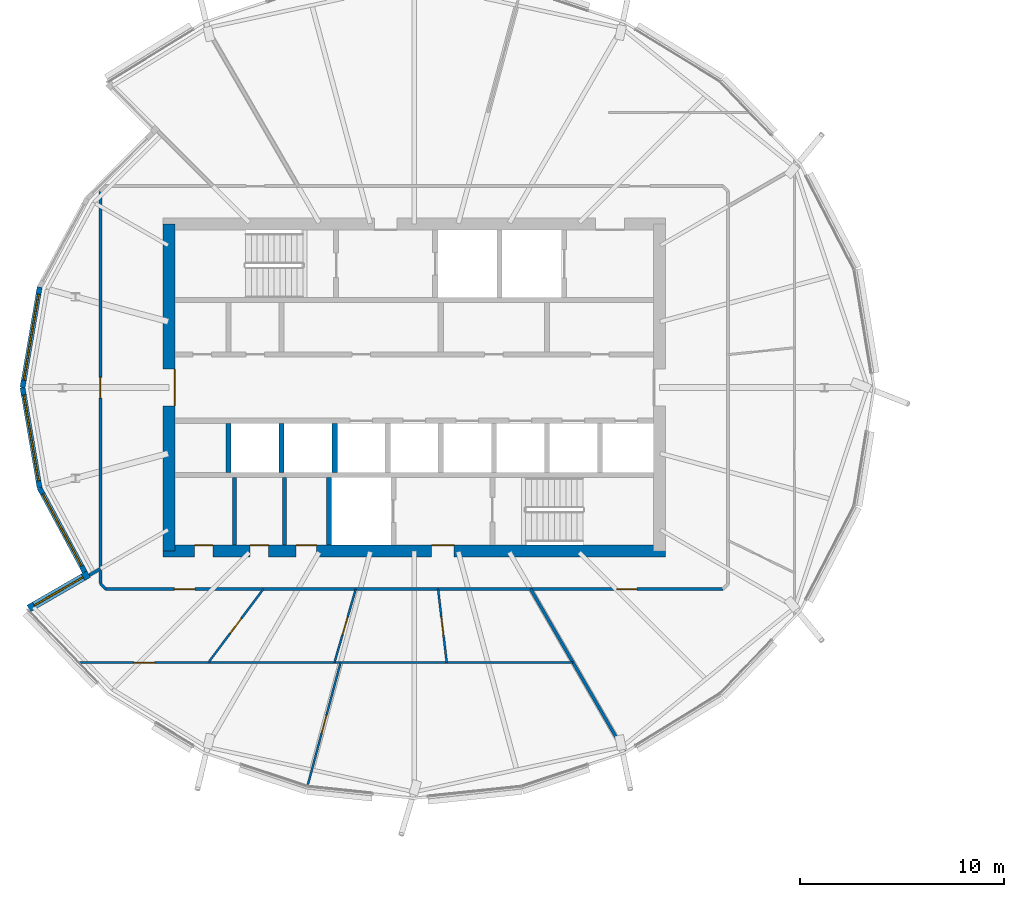
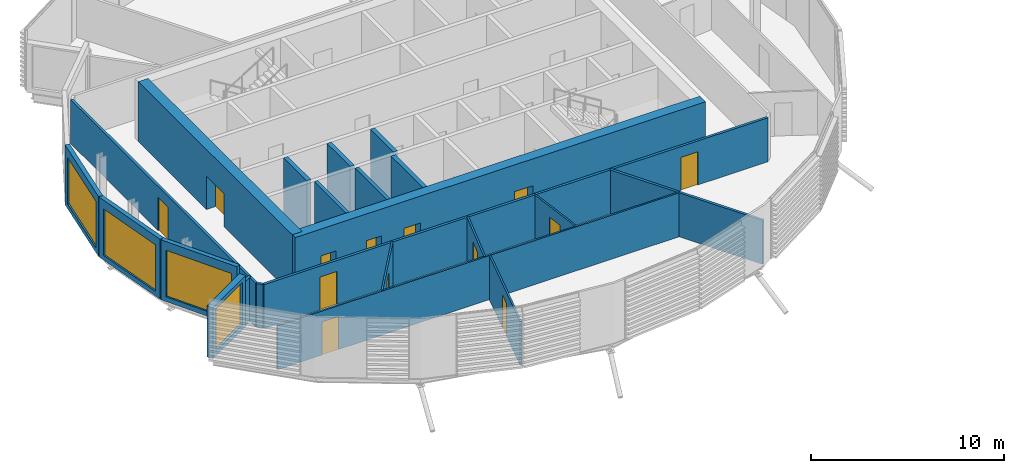
# One storey, part 19 of 37: 23 walls, 13 doors, 4 windows, 17 openings.
"""IFC4 building model written with IfcOpenShell, lengths in metres."""

from ifc_helpers import new_model, si_unit, direction, frame, frame_2d, origin, place, context, subcontext, project, spatial, rectangle, extrude, material, layer, layer_set, type_object, element, fill, save


model = new_model("IFC4")

# Units and contexts
model_context = context("Model", 3, precision=1e-05, world=origin(), true_north=direction((0.0, 1.0)))
body_context = subcontext(model_context, "Body", "Model", "MODEL_VIEW")
ifc_project = project(units=[si_unit("LENGTHUNIT", "METRE"), si_unit("AREAUNIT", "SQUARE_METRE"), si_unit("VOLUMEUNIT", "CUBIC_METRE"), si_unit("PLANEANGLEUNIT", "RADIAN"), si_unit("MASSUNIT", "GRAM", prefix="KILO")], contexts=[model_context])

# Site, building, storey
site_placement = place(None, origin())
site = spatial("IfcSite", under=ifc_project, at=site_placement, CompositionType="ELEMENT")
building_placement = place(site_placement, origin())
building = spatial("IfcBuilding", under=site, at=building_placement, Name="Rimbun Link Towers", CompositionType="ELEMENT")
storey_placement = place(building_placement, frame((0.0, 0.0, 162.699951171875)))
storey = spatial("IfcBuildingStorey", under=building, at=storey_placement, Name="L39", CompositionType="ELEMENT", Elevation=162.699951171875)

# Wall, opening, window
ifc_material_1 = material(Name="Dark enamelled glass spandrel on insulated aluminium backpan", Category="aluminium")
ifc_layer_1 = layer(ifc_material_1, 0.25)
ifc_layer_set_1 = layer_set([ifc_layer_1], Name="CS dark enamelled spandrel wall 250")
wall_type_1 = type_object("IfcWallType", Name="CS dark enamelled spandrel wall 250", PredefinedType="STANDARD", material=ifc_layer_set_1)
wall_1_placement = place(storey_placement, frame((-50.912841796875, 0.0, 0.0), z_axis=(0.0, 0.0, 1.0), x_axis=(0.167960198428, 0.985793777493, 0.0)))
wall_1 = element("IfcWall", 1, at=wall_1_placement, inside=storey, type_object=wall_type_1, Name="Crease spandrel wall", PredefinedType="STANDARD", context=body_context, shape_type="SweptSolid", body=[
    extrude(rectangle(XDim=4.989990234375, YDim=0.25, at=frame_2d((2.4951171875, 0.0))), origin(), (0.0, 0.0, 1.0), 3.800048828125),
])
opening_1_placement = place(wall_1_placement, frame((0.3701171875, 0.0, 0.300048828125)))
opening_1 = element("IfcOpeningElement", 2, at=opening_1_placement, cuts=wall_1, Name="Opening WR42H295", PredefinedType="OPENING", context=body_context, shape_type="SweptSolid", body=[
    extrude(rectangle(XDim=4.25, YDim=2.949951171875, at=frame_2d((2.125, 1.47509765625))), frame((0.0, 0.135009765625, 0.0), z_axis=(0.0, -1.0, 0.0), x_axis=(1.0, 0.0, 0.0)), (0.0, 0.0, 1.0), 0.27001953125),
])
ifc_material_2 = material(Name="Aluminium framed fixed window, dark tinted low-e glass", Category="aluminium")
window_type_1 = type_object("IfcWindowType", Name="WR ribbon window 4250X2950", PartitioningType="SINGLE_PANEL", PredefinedType="WINDOW", material=ifc_material_2)
window_1_placement = place(opening_1_placement, origin())
window_1 = element("IfcWindow", 3, at=window_1_placement, inside=storey, type_object=window_type_1, Name="Crease ribbon window", OverallHeight=2.949951171875, OverallWidth=4.25, PartitioningType="SINGLE_PANEL", PredefinedType="WINDOW", context=body_context, shape_type="SweptSolid", body=[
    extrude(rectangle(XDim=4.25, YDim=2.949951171875, at=frame_2d((2.125, 1.47509765625))), frame((0.0, 0.030029296875, 0.0), z_axis=(0.0, -1.0, 0.0), x_axis=(1.0, 0.0, 0.0)), (0.0, 0.0, 1.0), 0.06005859375),
])
fill(opening_1, window_1)

wall_2_placement = place(storey_placement, frame((-50.07470703125, -4.919189453125, 0.0), z_axis=(0.0, 0.0, 1.0), x_axis=(-0.167960198428, 0.985793777493, 0.0)))
wall_2 = element("IfcWall", 4, at=wall_2_placement, inside=storey, type_object=wall_type_1, Name="Crease spandrel wall", PredefinedType="STANDARD", context=body_context, shape_type="SweptSolid", body=[
    extrude(rectangle(XDim=4.989990234375, YDim=0.25, at=frame_2d((2.4951171875, 0.0))), origin(), (0.0, 0.0, 1.0), 3.800048828125),
])
opening_2_placement = place(wall_2_placement, frame((0.3701171875, 0.0, 0.300048828125)))
opening_2 = element("IfcOpeningElement", 5, at=opening_2_placement, cuts=wall_2, Name="Opening WR42H295", PredefinedType="OPENING", context=body_context, shape_type="SweptSolid", body=[
    extrude(rectangle(XDim=4.25, YDim=2.949951171875, at=frame_2d((2.125, 1.47509765625))), frame((0.0, 0.135009765625, 0.0), z_axis=(0.0, -1.0, 0.0), x_axis=(1.0, 0.0, 0.0)), (0.0, 0.0, 1.0), 0.27001953125),
])
window_2_placement = place(opening_2_placement, origin())
window_2 = element("IfcWindow", 6, at=window_2_placement, inside=storey, type_object=window_type_1, Name="Crease ribbon window", OverallHeight=2.949951171875, OverallWidth=4.25, PartitioningType="SINGLE_PANEL", PredefinedType="WINDOW", context=body_context, shape_type="SweptSolid", body=[
    extrude(rectangle(XDim=4.25, YDim=2.949951171875, at=frame_2d((2.125, 1.47509765625))), frame((0.0, 0.030029296875, 0.0), z_axis=(0.0, -1.0, 0.0), x_axis=(1.0, 0.0, 0.0)), (0.0, 0.0, 1.0), 0.06005859375),
])
fill(opening_2, window_2)

wall_3_placement = place(storey_placement, frame((-47.872314453125, -9.01953125, 0.0), z_axis=(0.0, 0.0, 1.0), x_axis=(-0.473186197198, 0.880962441186, 0.0)))
wall_3 = element("IfcWall", 7, at=wall_3_placement, inside=storey, type_object=wall_type_1, Name="Crease spandrel wall", PredefinedType="STANDARD", context=body_context, shape_type="SweptSolid", body=[
    extrude(rectangle(XDim=4.654296875, YDim=0.25, at=frame_2d((2.3271484375, 0.0))), origin(), (0.0, 0.0, 1.0), 3.800048828125),
])
opening_3_placement = place(wall_3_placement, frame((0.3271484375, 0.0, 0.300048828125)))
opening_3 = element("IfcOpeningElement", 8, at=opening_3_placement, cuts=wall_3, Name="Opening WR40H295", PredefinedType="OPENING", context=body_context, shape_type="SweptSolid", body=[
    extrude(rectangle(XDim=4.0, YDim=2.949951171875, at=frame_2d((2.0, 1.47509765625))), frame((0.0, 0.135009765625, 0.0), z_axis=(0.0, -1.0, 0.0), x_axis=(1.0, 0.0, 0.0)), (0.0, 0.0, 1.0), 0.27001953125),
])
ifc_material_3 = material(Name="Aluminium framed fixed window, dark tinted low-e glass", Category="aluminium")
window_type_2 = type_object("IfcWindowType", Name="WR ribbon window 4000X2950", PartitioningType="SINGLE_PANEL", PredefinedType="WINDOW", material=ifc_material_3)
window_3_placement = place(opening_3_placement, origin())
window_3 = element("IfcWindow", 9, at=window_3_placement, inside=storey, type_object=window_type_2, Name="Crease ribbon window", OverallHeight=2.949951171875, OverallWidth=4.0, PartitioningType="SINGLE_PANEL", PredefinedType="WINDOW", context=body_context, shape_type="SweptSolid", body=[
    extrude(rectangle(XDim=4.0, YDim=2.949951171875, at=frame_2d((2.0, 1.47509765625))), frame((0.0, 0.030029296875, 0.0), z_axis=(0.0, -1.0, 0.0), x_axis=(1.0, 0.0, 0.0)), (0.0, 0.0, 1.0), 0.06005859375),
])
fill(opening_3, window_3)

ifc_material_4 = material(Name="Dark enamelled glass spandrel on insulated aluminium backpan", Category="aluminium")
ifc_layer_2 = layer(ifc_material_4, 0.3701171875)
ifc_layer_set_2 = layer_set([ifc_layer_2], Name="CS dark enamelled spandrel wall 370")
wall_type_2 = type_object("IfcWallType", Name="CS dark enamelled spandrel wall 370", PredefinedType="STANDARD", material=ifc_layer_set_2)
wall_4_placement = place(storey_placement, frame((-50.60546875, -10.81103515625, 0.0), z_axis=(0.0, 0.0, 1.0), x_axis=(0.866038843867, 0.499976720371, 0.0)))
wall_4 = element("IfcWall", 10, at=wall_4_placement, inside=storey, type_object=wall_type_2, Name="Crease spandrel wall", PredefinedType="STANDARD", context=body_context, shape_type="SweptSolid", body=[
    extrude(rectangle(XDim=3.380126953125, YDim=0.3701171875, at=frame_2d((1.68994140625, 0.0))), origin(), (0.0, 0.0, 1.0), 3.233642578125),
])
opening_4_placement = place(wall_4_placement, frame((0.31494140625, 0.0, 0.300048828125)))
opening_4 = element("IfcOpeningElement", 11, at=opening_4_placement, cuts=wall_4, Name="Opening WR28H270", PredefinedType="OPENING", context=body_context, shape_type="SweptSolid", body=[
    extrude(rectangle(XDim=2.75, YDim=2.699951171875, at=frame_2d((1.375, 1.35009765625))), frame((0.0, 0.195068359375, 0.0), z_axis=(0.0, -1.0, 0.0), x_axis=(1.0, 0.0, 0.0)), (0.0, 0.0, 1.0), 0.39013671875),
])
ifc_material_5 = material(Name="Aluminium framed fixed window, dark tinted low-e glass", Category="aluminium")
window_type_3 = type_object("IfcWindowType", Name="WR ribbon window 2750X2700", PartitioningType="SINGLE_PANEL", PredefinedType="WINDOW", material=ifc_material_5)
window_4_placement = place(opening_4_placement, origin())
window_4 = element("IfcWindow", 12, at=window_4_placement, inside=storey, type_object=window_type_3, Name="Crease ribbon window", OverallHeight=2.699951171875, OverallWidth=2.75, PartitioningType="SINGLE_PANEL", PredefinedType="WINDOW", context=body_context, shape_type="SweptSolid", body=[
    extrude(rectangle(XDim=2.75, YDim=2.699951171875, at=frame_2d((1.375, 1.35009765625))), frame((0.0, 0.030029296875, 0.0), z_axis=(0.0, -1.0, 0.0), x_axis=(1.0, 0.0, 0.0)), (0.0, 0.0, 1.0), 0.06005859375),
])
fill(opening_4, window_4)

# Walls
ifc_material_6 = material(Name="Masonry blockwork", Category="masonry")
ifc_layer_3 = layer(ifc_material_6, 0.199951171875)
ifc_layer_set_3 = layer_set([ifc_layer_3], Name="Core partition 200")
wall_type_3 = type_object("IfcWallType", Name="Core partition 200", PredefinedType="PARTITIONING", material=ifc_layer_set_3)
for number, where, z_axis, x_axis, name in (
    (13, (-40.550048828125, -4.39990234375, 0.0), (0.0, 0.0, 1.0), (0.0, -1.0, 0.0), "L39 T1 core wall C1"),
    (14, (-38.10009765625, -4.39990234375, 0.0), (0.0, 0.0, 1.0), (0.0, -1.0, 0.0), "L39 T1 core wall C2"),
):
    element("IfcWall", number, at=place(storey_placement, frame(where, z_axis=z_axis, x_axis=x_axis)), inside=storey, type_object=wall_type_3, Name=name, PredefinedType="PARTITIONING", context=body_context, shape_type="SweptSolid", body=[
        extrude(rectangle(XDim=3.300048828125, YDim=0.199951171875, at=frame_2d((1.64990234375, 0.0))), origin(), (0.0, 0.0, 1.0), 3.800048828125),
    ])

# Wall, openings, doors
ifc_material_7 = material(Name="Concrete C60/75", Category="concrete")
ifc_layer_4 = layer(ifc_material_7, 0.60009765625)
ifc_layer_set_4 = layer_set([ifc_layer_4], Name="Core shear wall 600")
wall_type_4 = type_object("IfcWallType", Name="Core shear wall 600", PredefinedType="SHEAR", material=ifc_layer_set_4)
wall_5_placement = place(storey_placement, frame((-44.050048828125, -8.0, 0.0), z_axis=(0.0, 0.0, 1.0), x_axis=(1.0, 0.0, 0.0)))
wall_5 = element("IfcWall", 15, at=wall_5_placement, inside=storey, type_object=wall_type_4, Name="L39 T1 core wall S", PredefinedType="SHEAR", context=body_context, shape_type="SweptSolid", body=[
    extrude(rectangle(XDim=24.60009765625, YDim=0.60009765625, at=frame_2d((12.300048828125, 0.0))), origin(), (0.0, 0.0, 1.0), 3.800048828125),
])
opening_5_placement = place(wall_5_placement, frame((13.14990234375, 0.0, 0.0)))
opening_5 = element("IfcOpeningElement", 16, at=opening_5_placement, cuts=wall_5, Name="Opening C1DCF01S", PredefinedType="OPENING", context=body_context, shape_type="SweptSolid", body=[
    extrude(rectangle(XDim=1.10009765625, YDim=2.10009765625, at=frame_2d((0.550048828125, 1.050048828125))), frame((0.0, 0.31005859375, 0.0), z_axis=(0.0, -1.0, 0.0), x_axis=(1.0, 0.0, 0.0)), (0.0, 0.0, 1.0), 0.6201171875),
])
opening_6_placement = place(wall_5_placement, frame((1.550048828125, 0.0, 0.0)))
opening_6 = element("IfcOpeningElement", 17, at=opening_6_placement, cuts=wall_5, Name="Opening C1DWC02S", PredefinedType="OPENING", context=body_context, shape_type="SweptSolid", body=[
    extrude(rectangle(XDim=0.89990234375, YDim=2.10009765625, at=frame_2d((0.449951171875, 1.050048828125))), frame((0.0, 0.31005859375, 0.0), z_axis=(0.0, -1.0, 0.0), x_axis=(1.0, 0.0, 0.0)), (0.0, 0.0, 1.0), 0.6201171875),
])
opening_7_placement = place(wall_5_placement, frame((4.27490234375, 0.0, 0.0)))
opening_7 = element("IfcOpeningElement", 18, at=opening_7_placement, cuts=wall_5, Name="Opening C1DWC03S", PredefinedType="OPENING", context=body_context, shape_type="SweptSolid", body=[
    extrude(rectangle(XDim=0.89990234375, YDim=2.10009765625, at=frame_2d((0.449951171875, 1.050048828125))), frame((0.0, 0.31005859375, 0.0), z_axis=(0.0, -1.0, 0.0), x_axis=(1.0, 0.0, 0.0)), (0.0, 0.0, 1.0), 0.6201171875),
])
opening_8_placement = place(wall_5_placement, frame((6.52490234375, 0.0, 0.0)))
opening_8 = element("IfcOpeningElement", 19, at=opening_8_placement, cuts=wall_5, Name="Opening C1DAW04S", PredefinedType="OPENING", context=body_context, shape_type="SweptSolid", body=[
    extrude(rectangle(XDim=1.0, YDim=2.10009765625, at=frame_2d((0.5, 1.050048828125))), frame((0.0, 0.31005859375, 0.0), z_axis=(0.0, -1.0, 0.0), x_axis=(1.0, 0.0, 0.0)), (0.0, 0.0, 1.0), 0.6201171875),
])
ifc_material_8 = material(Name="Timber", Category="wood")
door_type_1 = type_object("IfcDoorType", Name="Accessible WC door", OperationType="SINGLE_SWING_LEFT", PredefinedType="DOOR", material=ifc_material_8)
door_1_placement = place(opening_8_placement, origin())
door_1 = element("IfcDoor", 20, at=door_1_placement, inside=storey, type_object=door_type_1, Name="L39 T1 accessible wc door", OperationType="SINGLE_SWING_RIGHT", OverallHeight=2.10009765625, OverallWidth=1.0, PredefinedType="DOOR", context=body_context, shape_type="SweptSolid", body=[
    extrude(rectangle(XDim=1.0, YDim=2.10009765625, at=frame_2d((0.5, 1.050048828125))), frame((0.0, 0.2998046875, 0.0), z_axis=(0.0, -1.0, 0.0), x_axis=(1.0, 0.0, 0.0)), (0.0, 0.0, 1.0), 0.050048828125),
])
fill(opening_8, door_1)
ifc_material_9 = material(Name="Steel fire door set", Category="steel")
door_type_2 = type_object("IfcDoorType", Name="Core fire door single", OperationType="SINGLE_SWING_LEFT", PredefinedType="DOOR", material=ifc_material_9)
door_2_placement = place(opening_5_placement, origin())
door_2 = element("IfcDoor", 21, at=door_2_placement, inside=storey, type_object=door_type_2, Name="L39 T1 firefighting lobby s door", OperationType="SINGLE_SWING_RIGHT", OverallHeight=2.10009765625, OverallWidth=1.10009765625, PredefinedType="DOOR", context=body_context, shape_type="SweptSolid", body=[
    extrude(rectangle(XDim=1.10009765625, YDim=2.10009765625, at=frame_2d((0.550048828125, 1.050048828125))), frame((0.0, 0.2998046875, 0.0), z_axis=(0.0, -1.0, 0.0), x_axis=(1.0, 0.0, 0.0)), (0.0, 0.0, 1.0), 0.050048828125),
])
fill(opening_5, door_2)
ifc_material_10 = material(Name="Timber", Category="wood")
door_type_3 = type_object("IfcDoorType", Name="WC door", OperationType="SINGLE_SWING_LEFT", PredefinedType="DOOR", material=ifc_material_10)
door_3_placement = place(opening_6_placement, origin())
door_3 = element("IfcDoor", 22, at=door_3_placement, inside=storey, type_object=door_type_3, Name="L39 T1 male wc door", OperationType="SINGLE_SWING_RIGHT", OverallHeight=2.10009765625, OverallWidth=0.89990234375, PredefinedType="DOOR", context=body_context, shape_type="SweptSolid", body=[
    extrude(rectangle(XDim=0.89990234375, YDim=2.10009765625, at=frame_2d((0.449951171875, 1.050048828125))), frame((0.0, 0.2998046875, 0.0), z_axis=(0.0, -1.0, 0.0), x_axis=(1.0, 0.0, 0.0)), (0.0, 0.0, 1.0), 0.050048828125),
])
fill(opening_6, door_3)
door_4_placement = place(opening_7_placement, origin())
door_4 = element("IfcDoor", 23, at=door_4_placement, inside=storey, type_object=door_type_3, Name="L39 T1 female wc door", OperationType="SINGLE_SWING_RIGHT", OverallHeight=2.10009765625, OverallWidth=0.89990234375, PredefinedType="DOOR", context=body_context, shape_type="SweptSolid", body=[
    extrude(rectangle(XDim=0.89990234375, YDim=2.10009765625, at=frame_2d((0.449951171875, 1.050048828125))), frame((0.0, 0.2998046875, 0.0), z_axis=(0.0, -1.0, 0.0), x_axis=(1.0, 0.0, 0.0)), (0.0, 0.0, 1.0), 0.050048828125),
])
fill(opening_7, door_4)

# Wall, opening, door
wall_6_placement = place(storey_placement, frame((-43.75, -8.0, 0.0), z_axis=(0.0, 0.0, 1.0), x_axis=(0.0, 1.0, 0.0)))
wall_6 = element("IfcWall", 24, at=wall_6_placement, inside=storey, type_object=wall_type_4, Name="L39 T1 core wall W", PredefinedType="SHEAR", context=body_context, shape_type="SweptSolid", body=[
    extrude(rectangle(XDim=16.0, YDim=0.60009765625, at=frame_2d((8.0, 0.0))), origin(), (0.0, 0.0, 1.0), 3.800048828125),
])
opening_9_placement = place(wall_6_placement, frame((7.10009765625, 0.0, 0.0)))
opening_9 = element("IfcOpeningElement", 25, at=opening_9_placement, cuts=wall_6, Name="Opening C1DCL01W", PredefinedType="OPENING", context=body_context, shape_type="SweptSolid", body=[
    extrude(rectangle(XDim=1.800048828125, YDim=2.10009765625, at=frame_2d((0.89990234375, 1.050048828125))), frame((0.0, 0.31005859375, 0.0), z_axis=(0.0, -1.0, 0.0), x_axis=(1.0, 0.0, 0.0)), (0.0, 0.0, 1.0), 0.6201171875),
])
ifc_material_11 = material(Name="Steel fire door set", Category="steel")
door_type_4 = type_object("IfcDoorType", Name="Core lobby door double", OperationType="DOUBLE_DOOR_SINGLE_SWING", PredefinedType="DOOR", material=ifc_material_11)
door_5_placement = place(opening_9_placement, origin())
door_5 = element("IfcDoor", 26, at=door_5_placement, inside=storey, type_object=door_type_4, Name="L39 T1 lift lobby door", OperationType="DOUBLE_DOOR_SINGLE_SWING", OverallHeight=2.10009765625, OverallWidth=1.800048828125, PredefinedType="DOOR", context=body_context, shape_type="SweptSolid", body=[
    extrude(rectangle(XDim=1.800048828125, YDim=2.10009765625, at=frame_2d((0.89990234375, 1.050048828125))), frame((0.0, -0.25, 0.0), z_axis=(0.0, -1.0, 0.0), x_axis=(1.0, 0.0, 0.0)), (0.0, 0.0, 1.0), 0.050048828125),
])
fill(opening_9, door_5)

# Wall, openings, doors
ifc_material_12 = material(Name="Plasterboard on steel stud, mineral wool", Category="steel")
ifc_layer_5 = layer(ifc_material_12, 0.14990234375)
ifc_layer_set_5 = layer_set([ifc_layer_5], Name="Corridor wall EI 30 150 mm")
wall_type_5 = type_object("IfcWallType", Name="Corridor wall EI 30 150 mm", PredefinedType="PARTITIONING", material=ifc_layer_set_5)
wall_7_placement = place(storey_placement, frame((-16.65625, -9.85498046875, 0.0), z_axis=(0.0, 0.0, 1.0), x_axis=(-1.0, 0.0, 0.0)))
wall_7 = element("IfcWall", 27, at=wall_7_placement, inside=storey, type_object=wall_type_5, Name="Corridor wall EI 30 150 mm", PredefinedType="PARTITIONING", context=body_context, shape_type="SweptSolid", body=[
    extrude(rectangle(XDim=30.1875, YDim=0.14990234375, at=frame_2d((15.09375, 0.0))), origin(), (0.0, 0.0, 1.0), 2.7890625),
])
opening_10_placement = place(wall_7_placement, frame((25.830810546875, 0.0, 0.0)))
opening_10 = element("IfcOpeningElement", 28, at=opening_10_placement, cuts=wall_7, Name="Opening D01", PredefinedType="OPENING", context=body_context, shape_type="SweptSolid", body=[
    extrude(rectangle(XDim=1.0, YDim=2.10009765625, at=frame_2d((0.5, 1.050048828125))), frame((0.0, 0.0849609375, 0.0), z_axis=(0.0, -1.0, 0.0), x_axis=(1.0, 0.0, 0.0)), (0.0, 0.0, 1.0), 0.169921875),
])
opening_11_placement = place(wall_7_placement, frame((4.201904296875, 0.0, 0.0)))
opening_11 = element("IfcOpeningElement", 29, at=opening_11_placement, cuts=wall_7, Name="Opening D01", PredefinedType="OPENING", context=body_context, shape_type="SweptSolid", body=[
    extrude(rectangle(XDim=1.0, YDim=2.10009765625, at=frame_2d((0.5, 1.050048828125))), frame((0.0, 0.0849609375, 0.0), z_axis=(0.0, -1.0, 0.0), x_axis=(1.0, 0.0, 0.0)), (0.0, 0.0, 1.0), 0.169921875),
])
ifc_material_13 = material(Name="Fire-resisting timber door leaf", Category="wood")
door_type_5 = type_object("IfcDoorType", Name="Fire door FD30S 1000", OperationType="NOTDEFINED", PredefinedType="DOOR", material=ifc_material_13)
door_6_placement = place(opening_10_placement, origin())
door_6 = element("IfcDoor", 30, at=door_6_placement, inside=storey, type_object=door_type_5, Name="Fire door FD30S 1000 to Tenant lobby", OperationType="SINGLE_SWING_LEFT", OverallHeight=2.10009765625, OverallWidth=1.0, PredefinedType="DOOR", context=body_context, shape_type="SweptSolid", body=[
    extrude(rectangle(XDim=1.0, YDim=2.10009765625, at=frame_2d((0.5, 1.050048828125))), frame((0.0, 0.02490234375, 0.0), z_axis=(0.0, -1.0, 0.0), x_axis=(1.0, 0.0, 0.0)), (0.0, 0.0, 1.0), 0.050048828125),
])
fill(opening_10, door_6)
door_7_placement = place(opening_11_placement, origin())
door_7 = element("IfcDoor", 31, at=door_7_placement, inside=storey, type_object=door_type_5, Name="Fire door FD30S 1000 to Tenant lobby", OperationType="SINGLE_SWING_RIGHT", OverallHeight=2.10009765625, OverallWidth=1.0, PredefinedType="DOOR", context=body_context, shape_type="SweptSolid", body=[
    extrude(rectangle(XDim=1.0, YDim=2.10009765625, at=frame_2d((0.5, 1.050048828125))), frame((0.0, 0.02490234375, 0.0), z_axis=(0.0, -1.0, 0.0), x_axis=(1.0, 0.0, 0.0)), (0.0, 0.0, 1.0), 0.050048828125),
])
fill(opening_11, door_7)

# Wall
wall_8_placement = place(storey_placement, frame((-47.10498046875, -9.59375, 0.0), z_axis=(0.0, 0.0, 1.0), x_axis=(0.707106781187, -0.707106781187, 0.0)))
element("IfcWall", 32, at=wall_8_placement, inside=storey, type_object=wall_type_5, Name="Corridor wall EI 30 150 mm", PredefinedType="PARTITIONING", context=body_context, shape_type="SweptSolid", body=[
    extrude(rectangle(XDim=0.369384765625, YDim=0.14990234375, at=frame_2d((0.1845703125, 0.0))), origin(), (0.0, 0.0, 1.0), 2.7890625),
])

# Wall, opening, door
wall_9_placement = place(storey_placement, frame((-47.10498046875, -9.59375, 0.0), z_axis=(0.0, 0.0, 1.0), x_axis=(0.0, 1.0, 0.0)))
wall_9 = element("IfcWall", 33, at=wall_9_placement, inside=storey, type_object=wall_type_5, Name="Corridor wall EI 30 150 mm", PredefinedType="PARTITIONING", context=body_context, shape_type="SweptSolid", body=[
    extrude(rectangle(XDim=19.1875, YDim=0.14990234375, at=frame_2d((9.59375, 0.0))), origin(), (0.0, 0.0, 1.0), 2.7890625),
])
opening_12_placement = place(wall_9_placement, frame((9.09375, 0.0, 0.0)))
opening_12 = element("IfcOpeningElement", 34, at=opening_12_placement, cuts=wall_9, Name="Opening D01", PredefinedType="OPENING", context=body_context, shape_type="SweptSolid", body=[
    extrude(rectangle(XDim=1.0, YDim=2.10009765625, at=frame_2d((0.5, 1.050048828125))), frame((0.0, 0.0849609375, 0.0), z_axis=(0.0, -1.0, 0.0), x_axis=(1.0, 0.0, 0.0)), (0.0, 0.0, 1.0), 0.169921875),
])
door_8_placement = place(opening_12_placement, origin())
door_8 = element("IfcDoor", 35, at=door_8_placement, inside=storey, type_object=door_type_5, Name="Fire door FD30S 1000 to Terrace office", OperationType="SINGLE_SWING_LEFT", OverallHeight=2.10009765625, OverallWidth=1.0, PredefinedType="DOOR", context=body_context, shape_type="SweptSolid", body=[
    extrude(rectangle(XDim=1.0, YDim=2.10009765625, at=frame_2d((0.5, 1.050048828125))), frame((0.0, 0.02490234375, 0.0), z_axis=(0.0, -1.0, 0.0), x_axis=(1.0, 0.0, 0.0)), (0.0, 0.0, 1.0), 0.050048828125),
])
fill(opening_12, door_8)

ifc_material_14 = material(Name="Plasterboard on steel stud", Category="steel")
ifc_layer_6 = layer(ifc_material_14, 0.10009765625)
ifc_layer_set_6 = layer_set([ifc_layer_6], Name="Plasterboard partition 100 mm")
wall_type_6 = type_object("IfcWallType", Name="Plasterboard partition 100 mm", PredefinedType="PARTITIONING", material=ifc_layer_set_6)
wall_10_placement = place(storey_placement, frame((-39.130859375, -9.85498046875, 0.0), z_axis=(0.0, 0.0, 1.0), x_axis=(-0.599426637137, -0.800429701279, 0.0)))
wall_10 = element("IfcWall", 36, at=wall_10_placement, inside=storey, type_object=wall_type_6, Name="Plasterboard partition 100 mm", PredefinedType="PARTITIONING", context=body_context, shape_type="SweptSolid", body=[
    extrude(rectangle(XDim=4.497802734375, YDim=0.10009765625, at=frame_2d((2.2490234375, 0.0))), origin(), (0.0, 0.0, 1.0), 2.7890625),
])
opening_13_placement = place(wall_10_placement, frame((1.798828125, 0.0, 0.0)))
opening_13 = element("IfcOpeningElement", 37, at=opening_13_placement, cuts=wall_10, Name="Opening D04", PredefinedType="OPENING", context=body_context, shape_type="SweptSolid", body=[
    extrude(rectangle(XDim=0.89990234375, YDim=2.10009765625, at=frame_2d((0.449951171875, 1.050048828125))), frame((0.0, 0.06005859375, 0.0), z_axis=(0.0, -1.0, 0.0), x_axis=(1.0, 0.0, 0.0)), (0.0, 0.0, 1.0), 0.1201171875),
])
ifc_material_15 = material(Name="Timber door leaf", Category="wood")
door_type_6 = type_object("IfcDoorType", Name="Flush door 900", OperationType="NOTDEFINED", PredefinedType="DOOR", material=ifc_material_15)
door_9_placement = place(opening_13_placement, origin())
door_9 = element("IfcDoor", 38, at=door_9_placement, inside=storey, type_object=door_type_6, Name="Flush door 900 to Huddle room", OperationType="SINGLE_SWING_RIGHT", OverallHeight=2.10009765625, OverallWidth=0.89990234375, PredefinedType="DOOR", context=body_context, shape_type="SweptSolid", body=[
    extrude(rectangle(XDim=0.89990234375, YDim=2.10009765625, at=frame_2d((0.449951171875, 1.050048828125))), frame((0.0, 0.02490234375, 0.0), z_axis=(0.0, -1.0, 0.0), x_axis=(1.0, 0.0, 0.0)), (0.0, 0.0, 1.0), 0.050048828125),
])
fill(opening_13, door_9)

wall_11_placement = place(storey_placement, frame((-35.355224609375, -13.455078125, 0.0), z_axis=(0.0, 0.0, 1.0), x_axis=(-1.0, 0.0, 0.0)))
wall_11 = element("IfcWall", 39, at=wall_11_placement, inside=storey, type_object=wall_type_6, Name="Plasterboard partition 100 mm", PredefinedType="PARTITIONING", context=body_context, shape_type="SweptSolid", body=[
    extrude(rectangle(XDim=12.763671875, YDim=0.10009765625, at=frame_2d((6.3818359375, 0.0))), origin(), (0.0, 0.0, 1.0), 2.7890625),
])
opening_14_placement = place(wall_11_placement, frame((9.098876953125, 0.0, 0.0)))
opening_14 = element("IfcOpeningElement", 40, at=opening_14_placement, cuts=wall_11, Name="Opening D03", PredefinedType="OPENING", context=body_context, shape_type="SweptSolid", body=[
    extrude(rectangle(XDim=1.0, YDim=2.10009765625, at=frame_2d((0.5, 1.050048828125))), frame((0.0, 0.06005859375, 0.0), z_axis=(0.0, -1.0, 0.0), x_axis=(1.0, 0.0, 0.0)), (0.0, 0.0, 1.0), 0.1201171875),
])
ifc_material_16 = material(Name="Timber door leaf", Category="wood")
door_type_7 = type_object("IfcDoorType", Name="Flush door 1000", OperationType="NOTDEFINED", PredefinedType="DOOR", material=ifc_material_16)
door_10_placement = place(opening_14_placement, origin())
door_10 = element("IfcDoor", 41, at=door_10_placement, inside=storey, type_object=door_type_7, Name="Flush door 1000 to Open office", OperationType="SINGLE_SWING_LEFT", OverallHeight=2.10009765625, OverallWidth=1.0, PredefinedType="DOOR", context=body_context, shape_type="SweptSolid", body=[
    extrude(rectangle(XDim=1.0, YDim=2.10009765625, at=frame_2d((0.5, 1.050048828125))), frame((0.0, 0.02490234375, 0.0), z_axis=(0.0, -1.0, 0.0), x_axis=(1.0, 0.0, 0.0)), (0.0, 0.0, 1.0), 0.050048828125),
])
fill(opening_14, door_10)

wall_12_placement = place(storey_placement, frame((-34.611083984375, -9.85498046875, 0.0), z_axis=(0.0, 0.0, 1.0), x_axis=(-0.27880438227, -0.960347914262, 0.0)))
wall_12 = element("IfcWall", 42, at=wall_12_placement, inside=storey, type_object=wall_type_6, Name="Plasterboard partition 100 mm", PredefinedType="PARTITIONING", context=body_context, shape_type="SweptSolid", body=[
    extrude(rectangle(XDim=3.748779296875, YDim=0.10009765625, at=frame_2d((1.87451171875, 0.0))), origin(), (0.0, 0.0, 1.0), 2.7890625),
])
opening_15_placement = place(wall_12_placement, frame((1.42431640625, 0.0, 0.0)))
opening_15 = element("IfcOpeningElement", 43, at=opening_15_placement, cuts=wall_12, Name="Opening D04", PredefinedType="OPENING", context=body_context, shape_type="SweptSolid", body=[
    extrude(rectangle(XDim=0.89990234375, YDim=2.10009765625, at=frame_2d((0.449951171875, 1.050048828125))), frame((0.0, 0.06005859375, 0.0), z_axis=(0.0, -1.0, 0.0), x_axis=(1.0, 0.0, 0.0)), (0.0, 0.0, 1.0), 0.1201171875),
])
door_11_placement = place(opening_15_placement, origin())
door_11 = element("IfcDoor", 44, at=door_11_placement, inside=storey, type_object=door_type_6, Name="Flush door 900 to Huddle room", OperationType="SINGLE_SWING_RIGHT", OverallHeight=2.10009765625, OverallWidth=0.89990234375, PredefinedType="DOOR", context=body_context, shape_type="SweptSolid", body=[
    extrude(rectangle(XDim=0.89990234375, YDim=2.10009765625, at=frame_2d((0.449951171875, 1.050048828125))), frame((0.0, 0.02490234375, 0.0), z_axis=(0.0, -1.0, 0.0), x_axis=(1.0, 0.0, 0.0)), (0.0, 0.0, 1.0), 0.050048828125),
])
fill(opening_15, door_11)

wall_13_placement = place(storey_placement, frame((-30.586669921875, -9.85498046875, 0.0), z_axis=(0.0, 0.0, 1.0), x_axis=(0.117185104902, -0.993110090166, 0.0)))
wall_13 = element("IfcWall", 45, at=wall_13_placement, inside=storey, type_object=wall_type_6, Name="Plasterboard partition 100 mm", PredefinedType="PARTITIONING", context=body_context, shape_type="SweptSolid", body=[
    extrude(rectangle(XDim=3.625, YDim=0.10009765625, at=frame_2d((1.8125, 0.0))), origin(), (0.0, 0.0, 1.0), 2.7890625),
])
opening_16_placement = place(wall_13_placement, frame((1.362548828125, 0.0, 0.0)))
opening_16 = element("IfcOpeningElement", 46, at=opening_16_placement, cuts=wall_13, Name="Opening D04", PredefinedType="OPENING", context=body_context, shape_type="SweptSolid", body=[
    extrude(rectangle(XDim=0.89990234375, YDim=2.10009765625, at=frame_2d((0.449951171875, 1.050048828125))), frame((0.0, 0.06005859375, 0.0), z_axis=(0.0, -1.0, 0.0), x_axis=(1.0, 0.0, 0.0)), (0.0, 0.0, 1.0), 0.1201171875),
])
door_12_placement = place(opening_16_placement, origin())
door_12 = element("IfcDoor", 47, at=door_12_placement, inside=storey, type_object=door_type_6, Name="Flush door 900 to Pantry", OperationType="SINGLE_SWING_LEFT", OverallHeight=2.10009765625, OverallWidth=0.89990234375, PredefinedType="DOOR", context=body_context, shape_type="SweptSolid", body=[
    extrude(rectangle(XDim=0.89990234375, YDim=2.10009765625, at=frame_2d((0.449951171875, 1.050048828125))), frame((0.0, 0.02490234375, 0.0), z_axis=(0.0, -1.0, 0.0), x_axis=(1.0, 0.0, 0.0)), (0.0, 0.0, 1.0), 0.050048828125),
])
fill(opening_16, door_12)

# Wall
wall_14_placement = place(storey_placement, frame((-35.355224609375, -13.455078125, 0.0), z_axis=(0.0, 0.0, 1.0), x_axis=(1.0, 0.0, 0.0)))
element("IfcWall", 48, at=wall_14_placement, inside=storey, type_object=wall_type_6, Name="Plasterboard partition 100 mm", PredefinedType="PARTITIONING", context=body_context, shape_type="SweptSolid", body=[
    extrude(rectangle(XDim=11.37353515625, YDim=0.10009765625, at=frame_2d((5.686767578125, 0.0))), origin(), (0.0, 0.0, 1.0), 2.7890625),
])

# Wall, opening, door
wall_15_placement = place(storey_placement, frame((-35.355224609375, -13.455078125, 0.0), z_axis=(0.0, 0.0, 1.0), x_axis=(-0.25881431183, -0.965927094553, 0.0)))
wall_15 = element("IfcWall", 49, at=wall_15_placement, inside=storey, type_object=wall_type_6, Name="Plasterboard partition 100 mm", PredefinedType="PARTITIONING", context=body_context, shape_type="SweptSolid", body=[
    extrude(rectangle(XDim=6.239990234375, YDim=0.10009765625, at=frame_2d((3.1201171875, 0.0))), origin(), (0.0, 0.0, 1.0), 2.7890625),
])
opening_17_placement = place(wall_15_placement, frame((2.669921875, 0.0, 0.0)))
opening_17 = element("IfcOpeningElement", 50, at=opening_17_placement, cuts=wall_15, Name="Opening D04", PredefinedType="OPENING", context=body_context, shape_type="SweptSolid", body=[
    extrude(rectangle(XDim=0.89990234375, YDim=2.10009765625, at=frame_2d((0.449951171875, 1.050048828125))), frame((0.0, 0.06005859375, 0.0), z_axis=(0.0, -1.0, 0.0), x_axis=(1.0, 0.0, 0.0)), (0.0, 0.0, 1.0), 0.1201171875),
])
door_13_placement = place(opening_17_placement, origin())
door_13 = element("IfcDoor", 51, at=door_13_placement, inside=storey, type_object=door_type_6, Name="Flush door 900 to Project room", OperationType="SINGLE_SWING_RIGHT", OverallHeight=2.10009765625, OverallWidth=0.89990234375, PredefinedType="DOOR", context=body_context, shape_type="SweptSolid", body=[
    extrude(rectangle(XDim=0.89990234375, YDim=2.10009765625, at=frame_2d((0.449951171875, 1.050048828125))), frame((0.0, 0.02490234375, 0.0), z_axis=(0.0, -1.0, 0.0), x_axis=(1.0, 0.0, 0.0)), (0.0, 0.0, 1.0), 0.050048828125),
])
fill(opening_17, door_13)

# Walls
ifc_material_17 = material(Name="Concrete C60/75", Category="concrete")
ifc_layer_7 = layer(ifc_material_17, 0.25)
ifc_layer_set_7 = layer_set([ifc_layer_7], Name="Shaft wall 250")
wall_type_7 = type_object("IfcWallType", Name="Shaft wall 250", PredefinedType="SHEAR", material=ifc_layer_set_7)
for number, where, z_axis, x_axis, name in (
    (52, (-40.83056640625, -4.14990234375, 0.0), (0.0, 0.0, 1.0), (0.0, 1.0, 0.0), "L39 T1 core wall DS0"),
    (53, (-38.236083984375, -4.14990234375, 0.0), (0.0, 0.0, 1.0), (0.0, 1.0, 0.0), "L39 T1 core wall DS1"),
    (54, (-35.6416015625, -4.14990234375, 0.0), (0.0, 0.0, 1.0), (0.0, 1.0, 0.0), "L39 T1 core wall DS2"),
):
    element("IfcWall", number, at=place(storey_placement, frame(where, z_axis=z_axis, x_axis=x_axis)), inside=storey, type_object=wall_type_7, Name=name, PredefinedType="SHEAR", context=body_context, shape_type="SweptSolid", body=[
        extrude(rectangle(XDim=2.39990234375, YDim=0.25, at=frame_2d((1.199951171875, 0.0))), origin(), (0.0, 0.0, 1.0), 3.800048828125),
    ])
wall_16_placement = place(storey_placement, frame((-35.925048828125, -4.39990234375, 0.0), z_axis=(0.0, 0.0, 1.0), x_axis=(0.0, -1.0, 0.0)))
element("IfcWall", 55, at=wall_16_placement, inside=storey, type_object=wall_type_7, Name="L39 T1 core wall B3", PredefinedType="SHEAR", context=body_context, shape_type="SweptSolid", body=[
    extrude(rectangle(XDim=3.300048828125, YDim=0.25, at=frame_2d((1.64990234375, 0.0))), origin(), (0.0, 0.0, 1.0), 3.800048828125),
])
ifc_material_18 = material(Name="Plasterboard on steel stud, mineral wool", Category="steel")
ifc_layer_8 = layer(ifc_material_18, 0.14990234375)
ifc_layer_set_8 = layer_set([ifc_layer_8], Name="Tenancy separation wall EI 60 150 mm")
wall_type_8 = type_object("IfcWallType", Name="Tenancy separation wall EI 60 150 mm", PredefinedType="PARTITIONING", material=ifc_layer_set_8)
wall_17_placement = place(storey_placement, frame((-47.10498046875, -8.865234375, 0.0), z_axis=(0.0, 0.0, 1.0), x_axis=(-0.865996765544, -0.500049599607, 0.0)))
element("IfcWall", 56, at=wall_17_placement, inside=storey, type_object=wall_type_8, Name="Tenancy separation wall EI 60 150 mm", PredefinedType="PARTITIONING", context=body_context, shape_type="SweptSolid", body=[
    extrude(rectangle(XDim=0.62451171875, YDim=0.14990234375, at=frame_2d((0.312255859375, 0.0))), origin(), (0.0, 0.0, 1.0), 2.7890625),
])
wall_18_placement = place(storey_placement, frame((-26.060302734375, -9.85498046875, 0.0), z_axis=(0.0, 0.0, 1.0), x_axis=(0.500000222056, -0.866025275581, 0.0)))
element("IfcWall", 57, at=wall_18_placement, inside=storey, type_object=wall_type_8, Name="Tenancy separation wall EI 60 150 mm", PredefinedType="PARTITIONING", context=body_context, shape_type="SweptSolid", body=[
    extrude(rectangle(XDim=9.1806640625, YDim=0.14990234375, at=frame_2d((4.59033203125, 0.0))), origin(), (0.0, 0.0, 1.0), 2.7890625),
])

save(model, "model.ifc")
